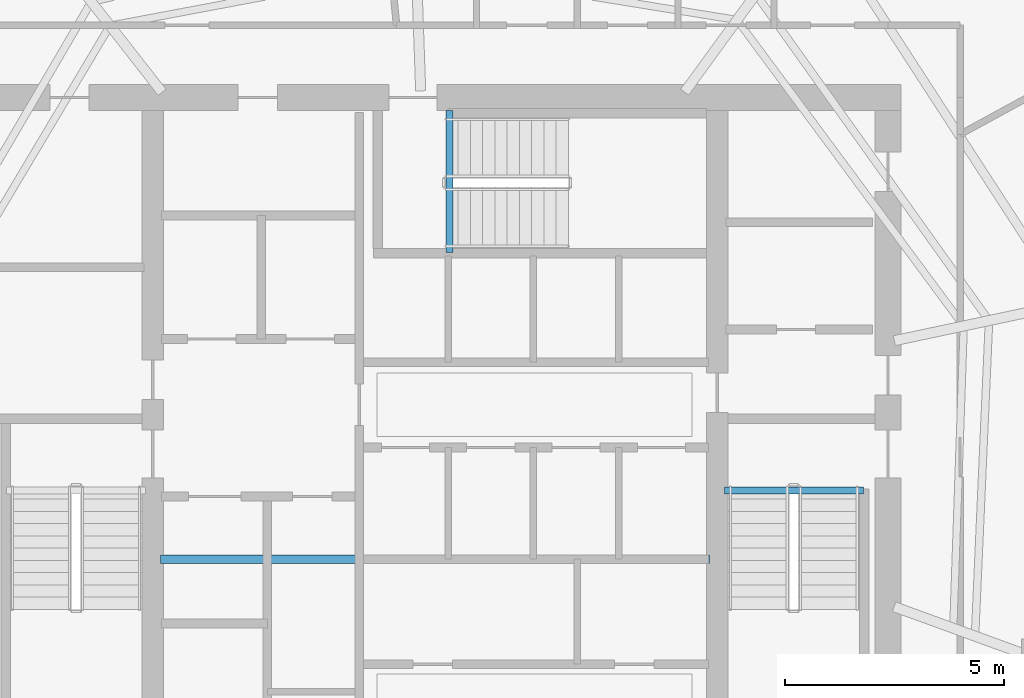
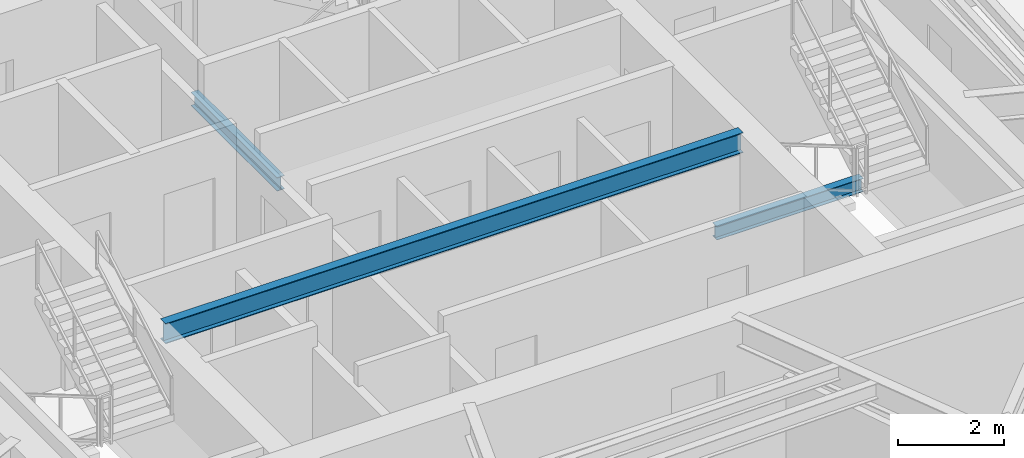
# One storey, part 7 of 20: 3 beams.
"""IFC4 building model written with IfcOpenShell, lengths in metres."""

from ifc_helpers import new_model, si_unit, direction, frame, origin, origin_2d, place, context, subcontext, project, spatial, i_section, extrude, material, material_profile, profile_set, type_object, element, save


model = new_model("IFC4")

# Units and contexts
model_context = context("Model", 3, precision=1e-05, world=origin(), true_north=direction((0.0, 1.0)))
body_context = subcontext(model_context, "Body", "Model", "MODEL_VIEW")
ifc_project = project(units=[si_unit("LENGTHUNIT", "METRE"), si_unit("AREAUNIT", "SQUARE_METRE"), si_unit("VOLUMEUNIT", "CUBIC_METRE"), si_unit("PLANEANGLEUNIT", "RADIAN"), si_unit("MASSUNIT", "GRAM", prefix="KILO")], contexts=[model_context])

# Site, building, storey
site_placement = place(None, origin())
site = spatial("IfcSite", under=ifc_project, at=site_placement, CompositionType="ELEMENT")
building_placement = place(site_placement, origin())
building = spatial("IfcBuilding", under=site, at=building_placement, Name="Qarnah Convention Tower", CompositionType="ELEMENT")
storey_placement = place(building_placement, frame((0.0, 0.0, 168.89990234375)))
storey = spatial("IfcBuildingStorey", under=building, at=storey_placement, Name="L45", CompositionType="ELEMENT", Elevation=168.89990234375)

# Beams
ifc_material = material(Name="Structural steel S355JR", Category="steel")
ifc_material_profile_1 = material_profile(ifc_material, i_section(OverallWidth=0.19189453125, OverallDepth=0.464111328125, WebThickness=0.010986328125, FlangeThickness=0.01806640625, at=origin_2d()), Name="W460X89")
ifc_profile_set_1 = profile_set([ifc_material_profile_1], Name="Structural steel S355JR")
beam_type_1 = type_object("IfcBeamType", Name="BM-CANT-W460A", PredefinedType="BEAM", material=ifc_profile_set_1)
beam_1_placement = place(storey_placement, frame((30.97998046875, 23.64990234375, 3.008056640625), z_axis=(1.0, 0.0, 0.0), x_axis=(0.0, 1.0, 0.0)))
element("IfcBeam", 1, at=beam_1_placement, inside=storey, type_object=beam_type_1, Name="L45 beam BM-L45-KC1", PredefinedType="BEAM", context=body_context, shape_type="SweptSolid", body=[
    extrude(i_section(OverallWidth=0.19189453125, OverallDepth=0.464111328125, WebThickness=0.010986328125, FlangeThickness=0.01806640625, at=origin_2d()), origin(), (0.0, 0.0, 1.0), 12.5400390625),
])
ifc_material_profile_2 = material_profile(ifc_material, i_section(OverallWidth=0.166015625, OverallDepth=0.31201171875, WebThickness=0.007080078125, FlangeThickness=0.010986328125, at=origin_2d()), Name="W310X45")
ifc_profile_set_2 = profile_set([ifc_material_profile_2], Name="Structural steel S355JR")
beam_type_2 = type_object("IfcBeamType", Name="BM-JST-W310", PredefinedType="JOIST", material=ifc_profile_set_2)
beam_2_placement = place(storey_placement, frame((43.860107421875, 25.217041015625, -0.156005859375), z_axis=(1.0, 0.0, 0.0), x_axis=(0.0, 1.0, 0.0)))
element("IfcBeam", 2, at=beam_2_placement, inside=storey, type_object=beam_type_2, Name="L45 stair landing trimmer beam BM-L45-ST2-TRM", PredefinedType="BEAM", context=body_context, shape_type="SweptSolid", body=[
    extrude(i_section(OverallWidth=0.166015625, OverallDepth=0.31201171875, WebThickness=0.007080078125, FlangeThickness=0.010986328125, at=origin_2d()), origin(), (0.0, 0.0, 1.0), 3.179931640625),
])
beam_3_placement = place(storey_placement, frame((37.5830078125, 30.659912109375, -0.156005859375), z_axis=(0.0, 1.0, 0.0), x_axis=(-1.0, 0.0, 0.0)))
element("IfcBeam", 3, at=beam_3_placement, inside=storey, type_object=beam_type_2, Name="L45 stair landing trimmer beam BM-L45-ST3-TRM", PredefinedType="BEAM", context=body_context, shape_type="SweptSolid", body=[
    extrude(i_section(OverallWidth=0.166015625, OverallDepth=0.31201171875, WebThickness=0.007080078125, FlangeThickness=0.010986328125, at=origin_2d()), origin(), (0.0, 0.0, 1.0), 3.239990234375),
])

save(model, "model.ifc")
